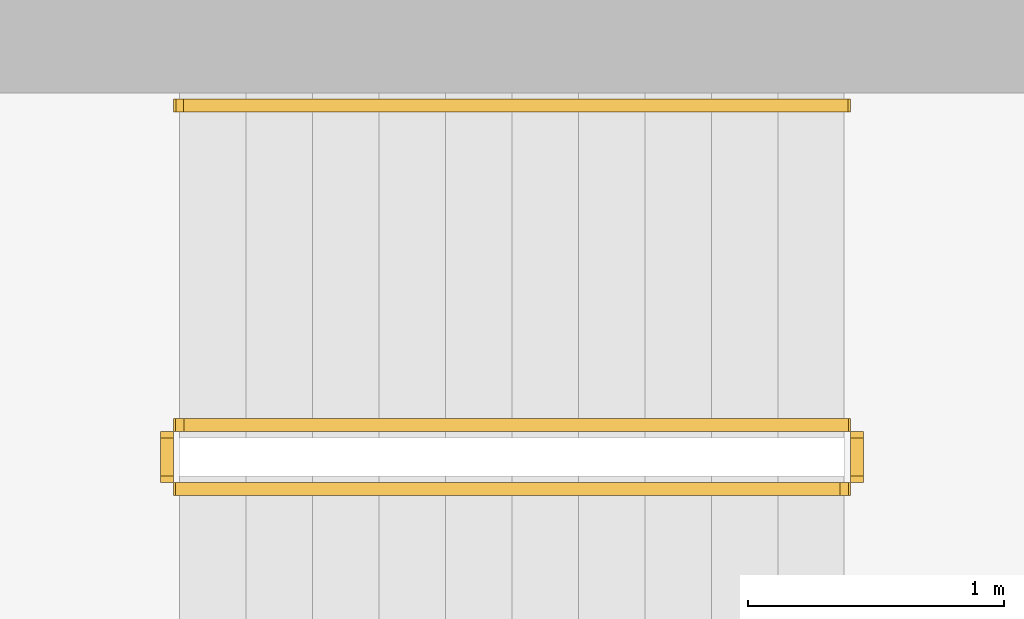
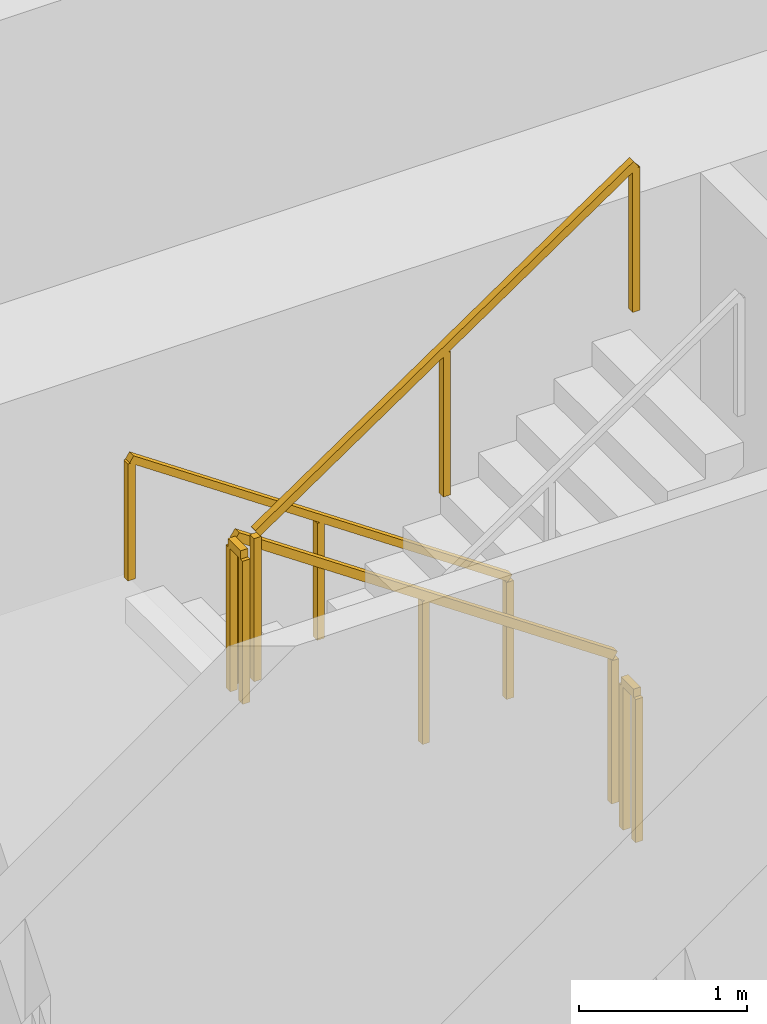
# One storey, part 13 of 14: 5 railings.
"""IFC4 building model written with IfcOpenShell, lengths in metres."""

from ifc_helpers import new_model, si_unit, direction, frame, origin, origin_2d, place, context, subcontext, project, spatial, rectangle, extrude, material, type_object, element, save


model = new_model("IFC4")

# Units and contexts
model_context = context("Model", 3, precision=1e-05, world=origin(), true_north=direction((0.0, 1.0)))
body_context = subcontext(model_context, "Body", "Model", "MODEL_VIEW")
ifc_project = project(units=[si_unit("LENGTHUNIT", "METRE"), si_unit("AREAUNIT", "SQUARE_METRE"), si_unit("VOLUMEUNIT", "CUBIC_METRE"), si_unit("PLANEANGLEUNIT", "RADIAN"), si_unit("MASSUNIT", "GRAM", prefix="KILO")], contexts=[model_context])

# Site, building, storey
site_placement = place(None, origin())
site = spatial("IfcSite", under=ifc_project, at=site_placement, CompositionType="ELEMENT")
building_placement = place(site_placement, origin())
building = spatial("IfcBuilding", under=site, at=building_placement, Name="Khepri Terraces", CompositionType="ELEMENT")
storey_placement = place(building_placement, frame((0.0, 0.0, 264.0)))
storey = spatial("IfcBuildingStorey", under=building, at=storey_placement, Name="L63", CompositionType="ELEMENT", Elevation=264.0)

# Railings
ifc_material = material(Name="Stainless steel 316", Category="steel")
railing_type_1 = type_object("IfcRailingType", Name="RL-CORE-GUARD", PredefinedType="GUARDRAIL", material=ifc_material)
railing_1_placement = place(storey_placement, frame((-0.25, 8.800048828125, 0.17724609375)))
element("IfcRailing", 1, at=railing_1_placement, inside=storey, type_object=railing_type_1, Name="L63 ST-3 stair guard 1", PredefinedType="GUARDRAIL", context=body_context, shape_type="SweptSolid", body=[
    extrude(rectangle(XDim=0.050048828125, YDim=0.06005859375, at=origin_2d()), frame((0.0, 0.0, 1.070068359375), z_axis=(-0.826240473404, 0.0, 0.563317565952), x_axis=(0.0, -1.0, 0.0)), (0.0, 0.0, 1.0), 3.14697265625),
    extrude(rectangle(XDim=0.050048828125, YDim=0.050048828125, at=origin_2d()), origin(), (0.0, 0.0, 1.0), 1.0400390625),
    extrude(rectangle(XDim=0.050048828125, YDim=0.050048828125, at=origin_2d()), frame((-1.300048828125, 0.0, 0.88623046875)), (0.0, 0.0, 1.0), 1.0400390625),
    extrude(rectangle(XDim=0.050048828125, YDim=0.050048828125, at=origin_2d()), frame((-2.60009765625, 0.0, 1.772705078125)), (0.0, 0.0, 1.0), 1.0400390625),
])
railing_2_placement = place(storey_placement, frame((-2.89990234375, 8.75, 1.949951171875)))
element("IfcRailing", 2, at=railing_2_placement, inside=storey, type_object=railing_type_1, Name="L63 ST-3 stair guard 2", PredefinedType="GUARDRAIL", context=body_context, shape_type="SweptSolid", body=[
    extrude(rectangle(XDim=0.050048828125, YDim=0.06005859375, at=origin_2d()), frame((0.0, 0.0, 1.070068359375), z_axis=(0.0, -1.0, 0.0), x_axis=(1.0, 0.0, 0.0)), (0.0, 0.0, 1.0), 0.14990234375),
    extrude(rectangle(XDim=0.050048828125, YDim=0.050048828125, at=origin_2d()), origin(), (0.0, 0.0, 1.0), 1.0400390625),
    extrude(rectangle(XDim=0.050048828125, YDim=0.050048828125, at=origin_2d()), frame((0.0, -0.14990234375, 0.0)), (0.0, 0.0, 1.0), 1.0400390625),
])
railing_3_placement = place(storey_placement, frame((-2.85009765625, 8.550048828125, 2.127197265625)))
element("IfcRailing", 3, at=railing_3_placement, inside=storey, type_object=railing_type_1, Name="L63 ST-3 stair guard 3", PredefinedType="GUARDRAIL", context=body_context, shape_type="SweptSolid", body=[
    extrude(rectangle(XDim=0.050048828125, YDim=0.06005859375, at=origin_2d()), frame((0.0, 0.0, 1.070068359375), z_axis=(0.826240473404, 0.0, 0.563317565952), x_axis=(0.0, 1.0, 0.0)), (0.0, 0.0, 1.0), 3.14697265625),
    extrude(rectangle(XDim=0.050048828125, YDim=0.050048828125, at=origin_2d()), origin(), (0.0, 0.0, 1.0), 1.0400390625),
    extrude(rectangle(XDim=0.050048828125, YDim=0.050048828125, at=origin_2d()), frame((1.300048828125, 0.0, 0.88623046875)), (0.0, 0.0, 1.0), 1.0400390625),
    extrude(rectangle(XDim=0.050048828125, YDim=0.050048828125, at=origin_2d()), frame((2.60009765625, 0.0, 1.772705078125)), (0.0, 0.0, 1.0), 1.0400390625),
])
railing_4_placement = place(storey_placement, frame((-0.199951171875, 8.75, 0.0)))
element("IfcRailing", 4, at=railing_4_placement, inside=storey, type_object=railing_type_1, Name="L63 ST-3 stair guard 4", PredefinedType="GUARDRAIL", context=body_context, shape_type="SweptSolid", body=[
    extrude(rectangle(XDim=0.050048828125, YDim=0.06005859375, at=origin_2d()), frame((0.0, 0.0, 1.070068359375), z_axis=(0.0, -1.0, 0.0), x_axis=(1.0, 0.0, 0.0)), (0.0, 0.0, 1.0), 0.14990234375),
    extrude(rectangle(XDim=0.050048828125, YDim=0.050048828125, at=origin_2d()), origin(), (0.0, 0.0, 1.0), 1.0400390625),
    extrude(rectangle(XDim=0.050048828125, YDim=0.050048828125, at=origin_2d()), frame((0.0, -0.14990234375, 0.0)), (0.0, 0.0, 1.0), 1.0400390625),
])
railing_type_2 = type_object("IfcRailingType", Name="RL-CORE-HANDRAIL", PredefinedType="HANDRAIL", material=ifc_material)
railing_5_placement = place(storey_placement, frame((-0.25, 10.050048828125, 0.17724609375)))
element("IfcRailing", 5, at=railing_5_placement, inside=storey, type_object=railing_type_2, Name="L63 ST-3 stair handrail 1", PredefinedType="HANDRAIL", context=body_context, shape_type="SweptSolid", body=[
    extrude(rectangle(XDim=0.050048828125, YDim=0.050048828125, at=origin_2d()), frame((0.0, 0.0, 0.875), z_axis=(-0.826240473404, 0.0, 0.563317565952), x_axis=(0.0, -1.0, 0.0)), (0.0, 0.0, 1.0), 3.14697265625),
    extrude(rectangle(XDim=0.050048828125, YDim=0.050048828125, at=origin_2d()), origin(), (0.0, 0.0, 1.0), 0.849853515625),
    extrude(rectangle(XDim=0.050048828125, YDim=0.050048828125, at=origin_2d()), frame((-1.300048828125, 0.0, 0.88623046875)), (0.0, 0.0, 1.0), 0.849853515625),
    extrude(rectangle(XDim=0.050048828125, YDim=0.050048828125, at=origin_2d()), frame((-2.60009765625, 0.0, 1.772705078125)), (0.0, 0.0, 1.0), 0.849853515625),
])

save(model, "model.ifc")
